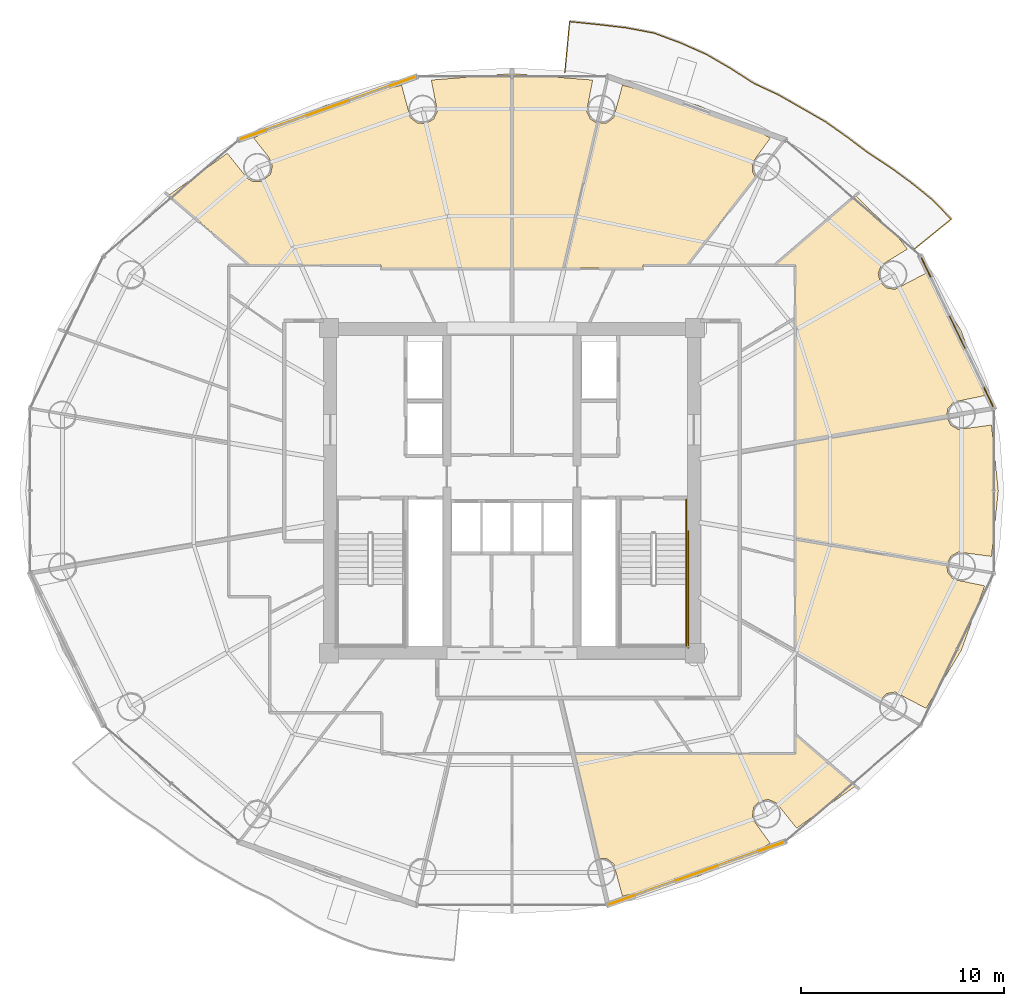
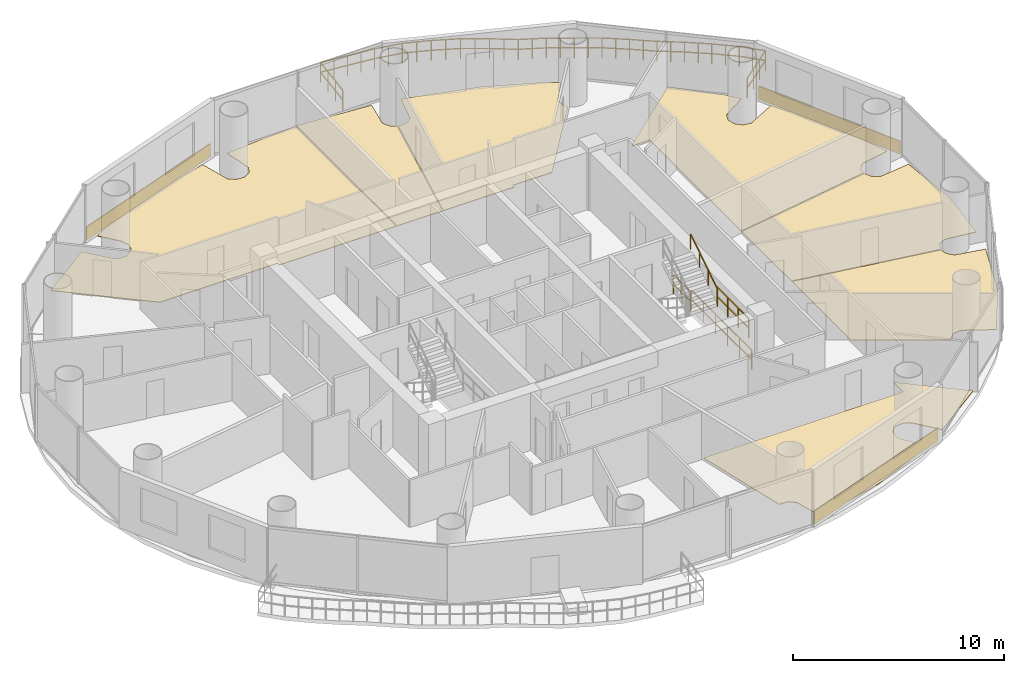
# One storey, part 26 of 26: 10 coverings, 5 railings.
"""IFC4 building model written with IfcOpenShell, lengths in metres."""

from ifc_helpers import new_model, si_unit, direction, frame, origin, origin_2d, place, context, subcontext, project, spatial, polyline, rectangle, outline, extrude, source, transform, mapped, material, layer, layer_set, type_object, element, save


model = new_model("IFC4")

# Units and contexts
model_context = context("Model", 3, precision=1e-05, world=origin(), true_north=direction((-0.2419218956, 0.970295726276)))
body_context = subcontext(model_context, "Body", "Model", "MODEL_VIEW")
ifc_project = project(units=[si_unit("LENGTHUNIT", "METRE"), si_unit("AREAUNIT", "SQUARE_METRE"), si_unit("VOLUMEUNIT", "CUBIC_METRE"), si_unit("PLANEANGLEUNIT", "RADIAN"), si_unit("MASSUNIT", "GRAM", prefix="KILO")], contexts=[model_context])

# Site, building, storey
site_placement = place(None, origin())
site = spatial("IfcSite", under=ifc_project, at=site_placement, CompositionType="ELEMENT")
building_placement = place(site_placement, origin())
building = spatial("IfcBuilding", under=site, at=building_placement, Name="Cobrevalo Terracotta Tower", CompositionType="ELEMENT")
storey_placement = place(building_placement, frame((0.0, 0.0, 142.60009765625)))
storey = spatial("IfcBuildingStorey", under=building, at=storey_placement, Name="L37", CompositionType="ELEMENT", Elevation=142.60009765625)

# Railing
ifc_material_1 = material(Name="Laminated structural glass and stainless steel", Category="steel")
railing_type_1 = type_object("IfcRailingType", Name="Balcony lobe structural glass & terracotta-cap balustrade 1180 mm", PredefinedType="BALUSTRADE", material=ifc_material_1)
railing_1_placement = place(storey_placement, frame((57.729248046875, 38.634765625, 0.0)))
element("IfcRailing", 1, at=railing_1_placement, inside=storey, type_object=railing_type_1, Name="L37 spiralling balcony lobe balustrade 1", PredefinedType="BALUSTRADE", context=body_context, shape_type="SweptSolid", body=[
    extrude(rectangle(XDim=0.048095703125, YDim=0.048095703125, at=origin_2d()), frame((0.0, 0.0, 1.15576171875), z_axis=(0.776605886973, 0.62998674297, 0.0), x_axis=(-0.62998674297, 0.776605886973, 0.0)), (0.0, 0.0, 1.0), 2.412841796875),
    extrude(rectangle(XDim=0.048095703125, YDim=0.048095703125, at=origin_2d()), frame((0.0, 0.0, 0.58984375), z_axis=(0.776605886973, 0.62998674297, 0.0), x_axis=(-0.62998674297, 0.776605886973, 0.0)), (0.0, 0.0, 1.0), 2.412841796875),
    extrude(rectangle(XDim=0.048095703125, YDim=0.048095703125, at=origin_2d()), frame((1.873779296875, 1.52001953125, 1.15576171875), z_axis=(-0.693616366426, 0.720344595472, 0.0), x_axis=(-0.720344595472, -0.693616366426, 0.0)), (0.0, 0.0, 1.0), 1.297119140625),
    extrude(rectangle(XDim=0.048095703125, YDim=0.048095703125, at=origin_2d()), frame((1.873779296875, 1.52001953125, 0.58984375), z_axis=(-0.693616366426, 0.720344595472, 0.0), x_axis=(-0.720344595472, -0.693616366426, 0.0)), (0.0, 0.0, 1.0), 1.297119140625),
    extrude(rectangle(XDim=0.048095703125, YDim=0.048095703125, at=origin_2d()), frame((0.97412109375, 2.454345703125, 1.15576171875), z_axis=(-0.775926903693, 0.630822827841, 0.0), x_axis=(-0.630822827841, -0.775926903693, 0.0)), (0.0, 0.0, 1.0), 1.3173828125),
    extrude(rectangle(XDim=0.048095703125, YDim=0.048095703125, at=origin_2d()), frame((0.97412109375, 2.454345703125, 0.58984375), z_axis=(-0.775926903693, 0.630822827841, 0.0), x_axis=(-0.630822827841, -0.775926903693, 0.0)), (0.0, 0.0, 1.0), 1.3173828125),
    extrude(rectangle(XDim=0.048095703125, YDim=0.048095703125, at=origin_2d()), frame((-0.048095703125, 3.285400390625, 1.15576171875), z_axis=(-0.806630616705, 0.591055875696, 0.0), x_axis=(-0.591055875696, -0.806630616705, 0.0)), (0.0, 0.0, 1.0), 1.306884765625),
    extrude(rectangle(XDim=0.048095703125, YDim=0.048095703125, at=origin_2d()), frame((-0.048095703125, 3.285400390625, 0.58984375), z_axis=(-0.806630616705, 0.591055875696, 0.0), x_axis=(-0.591055875696, -0.806630616705, 0.0)), (0.0, 0.0, 1.0), 1.306884765625),
    extrude(rectangle(XDim=0.048095703125, YDim=0.048095703125, at=origin_2d()), frame((-1.102294921875, 4.057861328125, 1.15576171875), z_axis=(-0.836972894181, 0.547244346162, 0.0), x_axis=(-0.547244346162, -0.836972894181, 0.0)), (0.0, 0.0, 1.0), 1.311279296875),
    extrude(rectangle(XDim=0.048095703125, YDim=0.048095703125, at=origin_2d()), frame((-1.102294921875, 4.057861328125, 0.58984375), z_axis=(-0.836972894181, 0.547244346162, 0.0), x_axis=(-0.547244346162, -0.836972894181, 0.0)), (0.0, 0.0, 1.0), 1.311279296875),
    extrude(rectangle(XDim=0.048095703125, YDim=0.048095703125, at=origin_2d()), frame((-2.19970703125, 4.775390625, 1.15576171875), z_axis=(-0.798741798158, 0.601673948144, 0.0), x_axis=(-0.601673948144, -0.798741798158, 0.0)), (0.0, 0.0, 1.0), 1.3056640625),
    extrude(rectangle(XDim=0.048095703125, YDim=0.048095703125, at=origin_2d()), frame((-2.19970703125, 4.775390625, 0.58984375), z_axis=(-0.798741798158, 0.601673948144, 0.0), x_axis=(-0.601673948144, -0.798741798158, 0.0)), (0.0, 0.0, 1.0), 1.3056640625),
    extrude(rectangle(XDim=0.048095703125, YDim=0.048095703125, at=origin_2d()), frame((-3.24267578125, 5.56103515625, 1.15576171875), z_axis=(-0.817799911498, 0.575502653994, 0.0), x_axis=(-0.575502653994, -0.817799911498, 0.0)), (0.0, 0.0, 1.0), 1.307861328125),
    extrude(rectangle(XDim=0.048095703125, YDim=0.048095703125, at=origin_2d()), frame((-3.24267578125, 5.56103515625, 0.58984375), z_axis=(-0.817799911498, 0.575502653994, 0.0), x_axis=(-0.575502653994, -0.817799911498, 0.0)), (0.0, 0.0, 1.0), 1.307861328125),
    extrude(rectangle(XDim=0.048095703125, YDim=0.048095703125, at=origin_2d()), frame((-4.312255859375, 6.313720703125, 1.15576171875), z_axis=(-0.866571760088, 0.499052486836, 0.0), x_axis=(-0.499052486836, -0.866571760088, 0.0)), (0.0, 0.0, 1.0), 1.3251953125),
    extrude(rectangle(XDim=0.048095703125, YDim=0.048095703125, at=origin_2d()), frame((-4.312255859375, 6.313720703125, 0.58984375), z_axis=(-0.866571760088, 0.499052486836, 0.0), x_axis=(-0.499052486836, -0.866571760088, 0.0)), (0.0, 0.0, 1.0), 1.3251953125),
    extrude(rectangle(XDim=0.048095703125, YDim=0.048095703125, at=origin_2d()), frame((-5.460693359375, 6.97509765625, 1.15576171875), z_axis=(-0.868265839493, 0.496099215853, 0.0), x_axis=(-0.496099215853, -0.868265839493, 0.0)), (0.0, 0.0, 1.0), 1.32373046875),
    extrude(rectangle(XDim=0.048095703125, YDim=0.048095703125, at=origin_2d()), frame((-5.460693359375, 6.97509765625, 0.58984375), z_axis=(-0.868265839493, 0.496099215853, 0.0), x_axis=(-0.496099215853, -0.868265839493, 0.0)), (0.0, 0.0, 1.0), 1.32373046875),
    extrude(rectangle(XDim=0.048095703125, YDim=0.048095703125, at=origin_2d()), frame((-6.610107421875, 7.6318359375, 1.15576171875), z_axis=(-0.906365050665, 0.422495437765, 0.0), x_axis=(-0.422495437765, -0.906365050665, 0.0)), (0.0, 0.0, 1.0), 1.336669921875),
    extrude(rectangle(XDim=0.048095703125, YDim=0.048095703125, at=origin_2d()), frame((-6.610107421875, 7.6318359375, 0.58984375), z_axis=(-0.906365050665, 0.422495437765, 0.0), x_axis=(-0.422495437765, -0.906365050665, 0.0)), (0.0, 0.0, 1.0), 1.336669921875),
    extrude(rectangle(XDim=0.048095703125, YDim=0.048095703125, at=origin_2d()), frame((-7.821533203125, 8.196533203125, 1.15576171875), z_axis=(-0.842261672011, 0.539068897138, 0.0), x_axis=(-0.539068897138, -0.842261672011, 0.0)), (0.0, 0.0, 1.0), 1.3671875),
    extrude(rectangle(XDim=0.048095703125, YDim=0.048095703125, at=origin_2d()), frame((-7.821533203125, 8.196533203125, 0.58984375), z_axis=(-0.842261672011, 0.539068897138, 0.0), x_axis=(-0.539068897138, -0.842261672011, 0.0)), (0.0, 0.0, 1.0), 1.3671875),
    extrude(rectangle(XDim=0.048095703125, YDim=0.048095703125, at=origin_2d()), frame((-8.97314453125, 8.93359375, 1.15576171875), z_axis=(-0.864687456437, 0.502310265355, 0.0), x_axis=(-0.502310265355, -0.864687456437, 0.0)), (0.0, 0.0, 1.0), 1.3818359375),
    extrude(rectangle(XDim=0.048095703125, YDim=0.048095703125, at=origin_2d()), frame((-8.97314453125, 8.93359375, 0.58984375), z_axis=(-0.864687456437, 0.502310265355, 0.0), x_axis=(-0.502310265355, -0.864687456437, 0.0)), (0.0, 0.0, 1.0), 1.3818359375),
    extrude(rectangle(XDim=0.048095703125, YDim=0.048095703125, at=origin_2d()), frame((-10.16796875, 9.627685546875, 1.15576171875), z_axis=(-0.914151492465, 0.40537272827, 0.0), x_axis=(-0.40537272827, -0.914151492465, 0.0)), (0.0, 0.0, 1.0), 1.390625),
    extrude(rectangle(XDim=0.048095703125, YDim=0.048095703125, at=origin_2d()), frame((-10.16796875, 9.627685546875, 0.58984375), z_axis=(-0.914151492465, 0.40537272827, 0.0), x_axis=(-0.40537272827, -0.914151492465, 0.0)), (0.0, 0.0, 1.0), 1.390625),
    extrude(rectangle(XDim=0.048095703125, YDim=0.048095703125, at=origin_2d()), frame((-11.439208984375, 10.19140625, 1.15576171875), z_axis=(-0.937418738161, 0.348204120229, 0.0), x_axis=(-0.348204120229, -0.937418738161, 0.0)), (0.0, 0.0, 1.0), 1.393798828125),
    extrude(rectangle(XDim=0.048095703125, YDim=0.048095703125, at=origin_2d()), frame((-11.439208984375, 10.19140625, 0.58984375), z_axis=(-0.937418738161, 0.348204120229, 0.0), x_axis=(-0.348204120229, -0.937418738161, 0.0)), (0.0, 0.0, 1.0), 1.393798828125),
    extrude(rectangle(XDim=0.048095703125, YDim=0.048095703125, at=origin_2d()), frame((-12.745849609375, 10.6767578125, 1.15576171875), z_axis=(-0.98248045944, 0.186365626706, 0.0), x_axis=(-0.186365626706, -0.98248045944, 0.0)), (0.0, 0.0, 1.0), 1.397705078125),
    extrude(rectangle(XDim=0.048095703125, YDim=0.048095703125, at=origin_2d()), frame((-12.745849609375, 10.6767578125, 0.58984375), z_axis=(-0.98248045944, 0.186365626706, 0.0), x_axis=(-0.186365626706, -0.98248045944, 0.0)), (0.0, 0.0, 1.0), 1.397705078125),
    extrude(rectangle(XDim=0.048095703125, YDim=0.048095703125, at=origin_2d()), frame((-14.119140625, 10.937255859375, 1.15576171875), z_axis=(-0.993346893194, 0.115160539172, 0.0), x_axis=(-0.115160539172, -0.993346893194, 0.0)), (0.0, 0.0, 1.0), 1.399169921875),
    extrude(rectangle(XDim=0.048095703125, YDim=0.048095703125, at=origin_2d()), frame((-14.119140625, 10.937255859375, 0.58984375), z_axis=(-0.993346893194, 0.115160539172, 0.0), x_axis=(-0.115160539172, -0.993346893194, 0.0)), (0.0, 0.0, 1.0), 1.399169921875),
    extrude(rectangle(XDim=0.048095703125, YDim=0.048095703125, at=origin_2d()), frame((-15.509033203125, 11.098388671875, 1.15576171875), z_axis=(-0.994835945684, 0.101496015567, 0.0), x_axis=(-0.101496015567, -0.994835945684, 0.0)), (0.0, 0.0, 1.0), 1.395263671875),
    extrude(rectangle(XDim=0.048095703125, YDim=0.048095703125, at=origin_2d()), frame((-15.509033203125, 11.098388671875, 0.58984375), z_axis=(-0.994835945684, 0.101496015567, 0.0), x_axis=(-0.101496015567, -0.994835945684, 0.0)), (0.0, 0.0, 1.0), 1.395263671875),
    extrude(rectangle(XDim=0.048095703125, YDim=0.048095703125, at=origin_2d()), frame((-16.89697265625, 11.239990234375, 1.15576171875), z_axis=(-0.093031820485, -0.995663135994, 0.0), x_axis=(0.995663135994, -0.093031820485, 0.0)), (0.0, 0.0, 1.0), 2.52197265625),
    extrude(rectangle(XDim=0.048095703125, YDim=0.048095703125, at=origin_2d()), frame((-16.89697265625, 11.239990234375, 0.58984375), z_axis=(-0.093031820485, -0.995663135994, 0.0), x_axis=(0.995663135994, -0.093031820485, 0.0)), (0.0, 0.0, 1.0), 2.52197265625),
    extrude(rectangle(XDim=0.0419921875, YDim=0.0419921875, at=origin_2d()), origin(), (0.0, 0.0, 1.0), 1.1318359375),
    extrude(rectangle(XDim=0.0419921875, YDim=0.0419921875, at=origin_2d()), frame((0.62451171875, 0.506591796875, 0.0)), (0.0, 0.0, 1.0), 1.1318359375),
    extrude(rectangle(XDim=0.0419921875, YDim=0.0419921875, at=origin_2d()), frame((1.249267578125, 1.013427734375, 0.0)), (0.0, 0.0, 1.0), 1.1318359375),
    extrude(rectangle(XDim=0.0419921875, YDim=0.0419921875, at=origin_2d()), frame((1.873779296875, 1.52001953125, 0.0)), (0.0, 0.0, 1.0), 1.1318359375),
    extrude(rectangle(XDim=0.0419921875, YDim=0.0419921875, at=origin_2d()), frame((1.423828125, 1.9873046875, 0.0)), (0.0, 0.0, 1.0), 1.1318359375),
    extrude(rectangle(XDim=0.0419921875, YDim=0.0419921875, at=origin_2d()), frame((0.97412109375, 2.454345703125, 0.0)), (0.0, 0.0, 1.0), 1.1318359375),
    extrude(rectangle(XDim=0.0419921875, YDim=0.0419921875, at=origin_2d()), frame((0.462890625, 2.869873046875, 0.0)), (0.0, 0.0, 1.0), 1.1318359375),
    extrude(rectangle(XDim=0.0419921875, YDim=0.0419921875, at=origin_2d()), frame((-0.048095703125, 3.285400390625, 0.0)), (0.0, 0.0, 1.0), 1.1318359375),
    extrude(rectangle(XDim=0.0419921875, YDim=0.0419921875, at=origin_2d()), frame((-0.5751953125, 3.671630859375, 0.0)), (0.0, 0.0, 1.0), 1.1318359375),
    extrude(rectangle(XDim=0.0419921875, YDim=0.0419921875, at=origin_2d()), frame((-1.102294921875, 4.057861328125, 0.0)), (0.0, 0.0, 1.0), 1.1318359375),
    extrude(rectangle(XDim=0.0419921875, YDim=0.0419921875, at=origin_2d()), frame((-1.65087890625, 4.41650390625, 0.0)), (0.0, 0.0, 1.0), 1.1318359375),
    extrude(rectangle(XDim=0.0419921875, YDim=0.0419921875, at=origin_2d()), frame((-2.19970703125, 4.775390625, 0.0)), (0.0, 0.0, 1.0), 1.1318359375),
    extrude(rectangle(XDim=0.0419921875, YDim=0.0419921875, at=origin_2d()), frame((-2.72119140625, 5.168212890625, 0.0)), (0.0, 0.0, 1.0), 1.1318359375),
    extrude(rectangle(XDim=0.0419921875, YDim=0.0419921875, at=origin_2d()), frame((-3.24267578125, 5.56103515625, 0.0)), (0.0, 0.0, 1.0), 1.1318359375),
    extrude(rectangle(XDim=0.0419921875, YDim=0.0419921875, at=origin_2d()), frame((-3.77734375, 5.9375, 0.0)), (0.0, 0.0, 1.0), 1.1318359375),
    extrude(rectangle(XDim=0.0419921875, YDim=0.0419921875, at=origin_2d()), frame((-4.312255859375, 6.313720703125, 0.0)), (0.0, 0.0, 1.0), 1.1318359375),
    extrude(rectangle(XDim=0.0419921875, YDim=0.0419921875, at=origin_2d()), frame((-4.886474609375, 6.64453125, 0.0)), (0.0, 0.0, 1.0), 1.1318359375),
    extrude(rectangle(XDim=0.0419921875, YDim=0.0419921875, at=origin_2d()), frame((-5.460693359375, 6.97509765625, 0.0)), (0.0, 0.0, 1.0), 1.1318359375),
    extrude(rectangle(XDim=0.0419921875, YDim=0.0419921875, at=origin_2d()), frame((-6.035400390625, 7.303466796875, 0.0)), (0.0, 0.0, 1.0), 1.1318359375),
    extrude(rectangle(XDim=0.0419921875, YDim=0.0419921875, at=origin_2d()), frame((-6.610107421875, 7.6318359375, 0.0)), (0.0, 0.0, 1.0), 1.1318359375),
    extrude(rectangle(XDim=0.0419921875, YDim=0.0419921875, at=origin_2d()), frame((-7.2158203125, 7.9140625, 0.0)), (0.0, 0.0, 1.0), 1.1318359375),
    extrude(rectangle(XDim=0.0419921875, YDim=0.0419921875, at=origin_2d()), frame((-7.821533203125, 8.196533203125, 0.0)), (0.0, 0.0, 1.0), 1.1318359375),
    extrude(rectangle(XDim=0.0419921875, YDim=0.0419921875, at=origin_2d()), frame((-8.3974609375, 8.56494140625, 0.0)), (0.0, 0.0, 1.0), 1.1318359375),
    extrude(rectangle(XDim=0.0419921875, YDim=0.0419921875, at=origin_2d()), frame((-8.97314453125, 8.93359375, 0.0)), (0.0, 0.0, 1.0), 1.1318359375),
    extrude(rectangle(XDim=0.0419921875, YDim=0.0419921875, at=origin_2d()), frame((-9.570556640625, 9.28076171875, 0.0)), (0.0, 0.0, 1.0), 1.1318359375),
    extrude(rectangle(XDim=0.0419921875, YDim=0.0419921875, at=origin_2d()), frame((-10.16796875, 9.627685546875, 0.0)), (0.0, 0.0, 1.0), 1.1318359375),
    extrude(rectangle(XDim=0.0419921875, YDim=0.0419921875, at=origin_2d()), frame((-10.8037109375, 9.90966796875, 0.0)), (0.0, 0.0, 1.0), 1.1318359375),
    extrude(rectangle(XDim=0.0419921875, YDim=0.0419921875, at=origin_2d()), frame((-11.439208984375, 10.19140625, 0.0)), (0.0, 0.0, 1.0), 1.1318359375),
    extrude(rectangle(XDim=0.0419921875, YDim=0.0419921875, at=origin_2d()), frame((-12.092529296875, 10.43408203125, 0.0)), (0.0, 0.0, 1.0), 1.1318359375),
    extrude(rectangle(XDim=0.0419921875, YDim=0.0419921875, at=origin_2d()), frame((-12.745849609375, 10.6767578125, 0.0)), (0.0, 0.0, 1.0), 1.1318359375),
    extrude(rectangle(XDim=0.0419921875, YDim=0.0419921875, at=origin_2d()), frame((-13.4326171875, 10.80712890625, 0.0)), (0.0, 0.0, 1.0), 1.1318359375),
    extrude(rectangle(XDim=0.0419921875, YDim=0.0419921875, at=origin_2d()), frame((-14.119140625, 10.937255859375, 0.0)), (0.0, 0.0, 1.0), 1.1318359375),
    extrude(rectangle(XDim=0.0419921875, YDim=0.0419921875, at=origin_2d()), frame((-14.81396484375, 11.017822265625, 0.0)), (0.0, 0.0, 1.0), 1.1318359375),
    extrude(rectangle(XDim=0.0419921875, YDim=0.0419921875, at=origin_2d()), frame((-15.509033203125, 11.098388671875, 0.0)), (0.0, 0.0, 1.0), 1.1318359375),
    extrude(rectangle(XDim=0.0419921875, YDim=0.0419921875, at=origin_2d()), frame((-16.203125, 11.169189453125, 0.0)), (0.0, 0.0, 1.0), 1.1318359375),
    extrude(rectangle(XDim=0.0419921875, YDim=0.0419921875, at=origin_2d()), frame((-16.89697265625, 11.239990234375, 0.0)), (0.0, 0.0, 1.0), 1.1318359375),
    extrude(rectangle(XDim=0.0419921875, YDim=0.0419921875, at=origin_2d()), frame((-16.97509765625, 10.403076171875, 0.0)), (0.0, 0.0, 1.0), 1.1318359375),
    extrude(rectangle(XDim=0.0419921875, YDim=0.0419921875, at=origin_2d()), frame((-17.053466796875, 9.56591796875, 0.0)), (0.0, 0.0, 1.0), 1.1318359375),
    extrude(rectangle(XDim=0.0419921875, YDim=0.0419921875, at=origin_2d()), frame((-17.131591796875, 8.72900390625, 0.0)), (0.0, 0.0, 1.0), 1.1318359375),
])

# Coverings
ifc_material_2 = material(Name="Engineered Brazilian hardwood flooring", Category="wood")
ifc_layer_1 = layer(ifc_material_2, 0.028076171875)
ifc_layer_set_1 = layer_set([ifc_layer_1], Name="Engineered Brazilian hardwood flooring")
covering_type_1 = type_object("IfcCoveringType", Name="Engineered Hardwood Suite Flooring 28", PredefinedType="FLOORING", material=ifc_layer_set_1)
covering_1_placement = place(storey_placement, origin())
element("IfcCovering", 2, at=covering_1_placement, inside=storey, type_object=covering_type_1, Name="Flat L37A Living and Dining Room floor finish", PredefinedType="FLOORING", context=body_context, shape_type="SweptSolid", body=[
    extrude(outline(polyline([(56.97802734375, 39.29052734375), (57.448486328125, 38.6865234375), (56.165771484375, 37.89404296875), (56.011474609375, 37.4931640625), (56.10595703125, 37.073974609375), (56.417236328125, 36.77783203125), (56.8408203125, 36.70458984375), (58.367431640625, 37.50634765625), (60.099609375, 34.651611328125), (61.251708984375, 31.478271484375), (59.7236328125, 31.1630859375), (59.44140625, 30.8388671875), (59.382568359375, 30.47607421875), (51.955078125, 29.2060546875), (51.955078125, 37.905029296875), (50.950927734375, 37.905029296875), (54.9111328125, 41.308837890625), (56.97802734375, 39.29052734375)])), origin(), (0.0, 0.0, 1.0), 0.02978515625),
])
covering_2_placement = place(storey_placement, origin())
element("IfcCovering", 3, at=covering_2_placement, inside=storey, type_object=covering_type_1, Name="Flat L37A Penthouse Family Lounge floor finish", PredefinedType="FLOORING", context=body_context, shape_type="SweptSolid", body=[
    extrude(outline(polyline([(49.961181640625, 44.5703125), (50.704833984375, 44.143798828125), (49.815673828125, 42.9228515625), (49.824462890625, 42.4931640625), (49.97509765625, 42.236572265625), (46.607666015625, 37.905029296875), (44.445068359375, 37.905029296875), (44.445068359375, 37.7451171875), (40.553466796875, 37.7451171875), (42.203369140625, 44.873779296875), (42.6591796875, 44.88916015625), (43.00048828125, 45.150390625), (43.432861328125, 46.75), (47.15478515625, 45.757568359375), (49.961181640625, 44.5703125)])), origin(), (0.0, 0.0, 1.0), 0.02978515625),
])
covering_3_placement = place(storey_placement, origin())
element("IfcCovering", 4, at=covering_3_placement, inside=storey, type_object=covering_type_1, Name="Flat L37A Principal Guest Bedroom floor finish", PredefinedType="FLOORING", context=body_context, shape_type="SweptSolid", body=[
    extrude(outline(polyline([(38.02001953125, 47.31884765625), (41.97119140625, 46.99951171875), (41.6689453125, 45.462158203125), (41.858642578125, 45.07666015625), (42.16455078125, 44.8837890625), (40.512451171875, 37.7451171875), (38.02001953125, 37.7451171875), (38.02001953125, 47.31884765625)])), origin(), (0.0, 0.0, 1.0), 0.02978515625),
])
covering_4_placement = place(storey_placement, origin())
element("IfcCovering", 5, at=covering_4_placement, inside=storey, type_object=covering_type_1, Name="Flat L37B Penthouse Living and Dining Room floor finish", PredefinedType="FLOORING", context=body_context, shape_type="SweptSolid", body=[
    extrude(outline(polyline([(23.99755859375, 43.39990234375), (24.99072265625, 42.160400390625), (25.242431640625, 42.01904296875), (25.672119140625, 42.01025390625), (26.1171875, 42.3603515625), (26.209716796875, 42.780029296875), (26.053955078125, 43.179443359375), (25.295166015625, 44.143798828125), (26.038818359375, 44.5703125), (28.84521484375, 45.757568359375), (32.567138671875, 46.75), (32.99951171875, 45.150390625), (33.3408203125, 44.88916015625), (33.76953125, 44.861328125), (34.141357421875, 45.07666015625), (34.3310546875, 45.462158203125), (34.02880859375, 46.99951171875), (37.97998046875, 47.31884765625), (37.97998046875, 37.7451171875), (31.554931640625, 37.7451171875), (31.554931640625, 37.905029296875), (25.1103515625, 37.905029296875), (21.119873046875, 41.3349609375), (23.99755859375, 43.39990234375)])), origin(), (0.0, 0.0, 1.0), 0.02978515625),
])
covering_5_placement = place(storey_placement, origin())
element("IfcCovering", 6, at=covering_5_placement, inside=storey, type_object=covering_type_1, Name="Flat L37D Living and Dining Room floor finish", PredefinedType="FLOORING", context=body_context, shape_type="SweptSolid", body=[
    extrude(outline(polyline([(52.00244140625, 10.2001953125), (51.00927734375, 11.439697265625), (50.61572265625, 11.6123046875), (50.192626953125, 11.537109375), (49.8828125, 11.239501953125), (49.815673828125, 10.67724609375), (50.704833984375, 9.4560546875), (49.961181640625, 9.02978515625), (47.15478515625, 7.84228515625), (43.432861328125, 6.849853515625), (43.00048828125, 8.44970703125), (42.6591796875, 8.7109375), (42.203369140625, 8.72607421875), (41.0185546875, 13.844970703125), (51.955078125, 13.844970703125), (51.955078125, 14.779296875), (54.880126953125, 12.264892578125), (52.00244140625, 10.2001953125)])), origin(), (0.0, 0.0, 1.0), 0.02978515625),
])
covering_6_placement = place(storey_placement, origin())
element("IfcCovering", 7, at=covering_6_placement, inside=storey, type_object=covering_type_1, Name="Flat L37D Principal Guest Bedroom floor finish", PredefinedType="FLOORING", context=body_context, shape_type="SweptSolid", body=[
    extrude(outline(polyline([(58.367431640625, 16.09375), (56.8408203125, 16.895263671875), (56.417236328125, 16.822021484375), (56.070068359375, 16.4453125), (51.955078125, 18.80859375), (51.955078125, 24.393798828125), (59.382568359375, 23.1240234375), (59.44140625, 22.760986328125), (59.7236328125, 22.43701171875), (61.251708984375, 22.121826171875), (60.099609375, 18.948486328125), (58.367431640625, 16.09375)])), origin(), (0.0, 0.0, 1.0), 0.02978515625),
])
covering_7_placement = place(storey_placement, origin())
element("IfcCovering", 8, at=covering_7_placement, inside=storey, type_object=covering_type_1, Name="Flat L37D Penthouse Family Lounge floor finish", PredefinedType="FLOORING", context=body_context, shape_type="SweptSolid", body=[
    extrude(outline(polyline([(59.388427734375, 30.436279296875), (59.578369140625, 30.028076171875), (59.951416015625, 29.814697265625), (61.58642578125, 30.03369140625), (61.919921875, 26.800048828125), (61.58642578125, 23.566162109375), (59.951416015625, 23.785400390625), (59.578369140625, 23.572021484375), (59.388427734375, 23.16357421875), (51.955078125, 24.4345703125), (51.955078125, 29.16552734375), (59.388427734375, 30.436279296875)])), origin(), (0.0, 0.0, 1.0), 0.02978515625),
])

# Railings
ifc_material_3 = material(Name="Brushed stainless steel", Category="steel")
railing_type_2 = type_object("IfcRailingType", Name="Stainless Steel Stair Handrail 900", PredefinedType="HANDRAIL", material=ifc_material_3)
railing_2_placement = place(storey_placement, frame((46.574951171875, 22.179931640625, 1.97998046875)))
element("IfcRailing", 9, at=railing_2_placement, inside=storey, type_object=railing_type_2, Name="L37 ST-2 stair handrail 2", PredefinedType="HANDRAIL", context=body_context, shape_type="SweptSolid", body=[
    extrude(rectangle(XDim=0.048095703125, YDim=0.048095703125, at=origin_2d()), frame((0.0, 0.0, 0.8759765625), z_axis=(0.0, 0.841199657755, 0.540724639528), x_axis=(-1.0, 0.0, 0.0)), (0.0, 0.0, 1.0), 2.995849609375),
    extrude(rectangle(XDim=0.0419921875, YDim=0.0419921875, at=origin_2d()), origin(), (0.0, 0.0, 1.0), 0.851806640625),
    extrude(rectangle(XDim=0.0419921875, YDim=0.0419921875, at=origin_2d()), frame((0.0, 0.840087890625, 0.5400390625)), (0.0, 0.0, 1.0), 0.851806640625),
    extrude(rectangle(XDim=0.0419921875, YDim=0.0419921875, at=origin_2d()), frame((0.0, 1.679931640625, 1.079833984375)), (0.0, 0.0, 1.0), 0.851806640625),
    extrude(rectangle(XDim=0.0419921875, YDim=0.0419921875, at=origin_2d()), frame((0.0, 2.52001953125, 1.619873046875)), (0.0, 0.0, 1.0), 0.851806640625),
])
ifc_material_4 = material(Name="Painted galvanized steel", Category="steel")
railing_type_3 = type_object("IfcRailingType", Name="Stair Well Guard Balustrade 1150", PredefinedType="GUARDRAIL", material=ifc_material_4)
railing_3_placement = place(storey_placement, frame((46.574951171875, 22.179931640625, 1.7998046875)))
element("IfcRailing", 10, at=railing_3_placement, inside=storey, type_object=railing_type_3, Name="L37 ST-2 stair guard 4", PredefinedType="GUARDRAIL", context=body_context, shape_type="SweptSolid", body=[
    extrude(rectangle(XDim=0.048095703125, YDim=0.048095703125, at=origin_2d()), frame((0.0, 0.0, 1.1259765625), z_axis=(0.0, -1.0, 0.0), x_axis=(1.0, 0.0, 0.0)), (0.0, 0.0, 1.0), 3.0048828125),
    extrude(rectangle(XDim=0.048095703125, YDim=0.048095703125, at=origin_2d()), frame((0.0, 0.0, 0.574951171875), z_axis=(0.0, -1.0, 0.0), x_axis=(1.0, 0.0, 0.0)), (0.0, 0.0, 1.0), 3.0048828125),
    extrude(rectangle(XDim=0.0419921875, YDim=0.0419921875, at=origin_2d()), origin(), (0.0, 0.0, 1.0), 1.101806640625),
    extrude(rectangle(XDim=0.0419921875, YDim=0.0419921875, at=origin_2d()), frame((0.0, -1.001708984375, 0.0)), (0.0, 0.0, 1.0), 1.101806640625),
    extrude(rectangle(XDim=0.0419921875, YDim=0.0419921875, at=origin_2d()), frame((0.0, -2.003173828125, 0.0)), (0.0, 0.0, 1.0), 1.101806640625),
    extrude(rectangle(XDim=0.0419921875, YDim=0.0419921875, at=origin_2d()), frame((0.0, -3.0048828125, 0.0)), (0.0, 0.0, 1.0), 1.101806640625),
])
railing_4_placement = place(storey_placement, frame((46.574951171875, 26.35009765625, 0.0)))
element("IfcRailing", 11, at=railing_4_placement, inside=storey, type_object=railing_type_3, Name="L37 ST-2 stair guard 9", PredefinedType="GUARDRAIL", context=body_context, shape_type="SweptSolid", body=[
    extrude(rectangle(XDim=0.048095703125, YDim=0.048095703125, at=origin_2d()), frame((0.0, 0.0, 1.1259765625), z_axis=(0.0, -1.0, 0.0), x_axis=(1.0, 0.0, 0.0)), (0.0, 0.0, 1.0), 1.650146484375),
    extrude(rectangle(XDim=0.048095703125, YDim=0.048095703125, at=origin_2d()), frame((0.0, 0.0, 0.574951171875), z_axis=(0.0, -1.0, 0.0), x_axis=(1.0, 0.0, 0.0)), (0.0, 0.0, 1.0), 1.650146484375),
    extrude(rectangle(XDim=0.0419921875, YDim=0.0419921875, at=origin_2d()), origin(), (0.0, 0.0, 1.0), 1.101806640625),
    extrude(rectangle(XDim=0.0419921875, YDim=0.0419921875, at=origin_2d()), frame((0.0, -0.8251953125, 0.0)), (0.0, 0.0, 1.0), 1.101806640625),
    extrude(rectangle(XDim=0.0419921875, YDim=0.0419921875, at=origin_2d()), frame((0.0, -1.650146484375, 0.0)), (0.0, 0.0, 1.0), 1.101806640625),
])
railing_5_placement = place(storey_placement, frame((46.675048828125, 24.800048828125, 0.0)))
element("IfcRailing", 12, at=railing_5_placement, inside=storey, type_object=railing_type_3, Name="L37 ST-2 stair guard 11", PredefinedType="GUARDRAIL", context=body_context, shape_type="SweptSolid", body=[
    extrude(rectangle(XDim=0.048095703125, YDim=0.048095703125, at=origin_2d()), frame((0.0, 0.0, 1.1259765625), z_axis=(0.0, -1.0, 0.0), x_axis=(1.0, 0.0, 0.0)), (0.0, 0.0, 1.0), 5.72509765625),
    extrude(rectangle(XDim=0.048095703125, YDim=0.048095703125, at=origin_2d()), frame((0.0, 0.0, 0.574951171875), z_axis=(0.0, -1.0, 0.0), x_axis=(1.0, 0.0, 0.0)), (0.0, 0.0, 1.0), 5.72509765625),
    extrude(rectangle(XDim=0.0419921875, YDim=0.0419921875, at=origin_2d()), origin(), (0.0, 0.0, 1.0), 1.101806640625),
    extrude(rectangle(XDim=0.0419921875, YDim=0.0419921875, at=origin_2d()), frame((0.0, -1.14501953125, 0.0)), (0.0, 0.0, 1.0), 1.101806640625),
    extrude(rectangle(XDim=0.0419921875, YDim=0.0419921875, at=origin_2d()), frame((0.0, -2.2900390625, 0.0)), (0.0, 0.0, 1.0), 1.101806640625),
    extrude(rectangle(XDim=0.0419921875, YDim=0.0419921875, at=origin_2d()), frame((0.0, -3.43505859375, 0.0)), (0.0, 0.0, 1.0), 1.101806640625),
    extrude(rectangle(XDim=0.0419921875, YDim=0.0419921875, at=origin_2d()), frame((0.0, -4.580078125, 0.0)), (0.0, 0.0, 1.0), 1.101806640625),
    extrude(rectangle(XDim=0.0419921875, YDim=0.0419921875, at=origin_2d()), frame((0.0, -5.72509765625, 0.0)), (0.0, 0.0, 1.0), 1.101806640625),
])

# Coverings
ifc_material_5 = material(Name="Glazed terracotta facade cladding tile", Category="masonry")
ifc_layer_2 = layer(ifc_material_5, 0.044921875)
ifc_layer_set_2 = layer_set([ifc_layer_2], Name="Glazed terracotta facade cladding tile")
covering_type_2 = type_object("IfcCoveringType", Name="Architectural terracotta rainscreen spandrel cladding 45 mm", PredefinedType="CLADDING", material=ifc_layer_set_2)
shared_shape_1 = source(origin(), body_context, "Body", "SweptSolid", [
    extrude(rectangle(XDim=8.111572265625, YDim=0.044921875, at=origin_2d()), origin(), (0.0, 0.0, 1.0), 0.760009765625),
])
covering_8_placement = place(storey_placement, frame((59.901123046875, 34.595703125, 0.0400390625), z_axis=(0.0, 0.0, 1.0), x_axis=(-0.434209440271, 0.900811945957, 0.0)))
element("IfcCovering", 13, at=covering_8_placement, inside=storey, type_object=covering_type_2, Name="L37 terracotta spandrel cladding S01", PredefinedType="CLADDING", context=body_context, shape_type="MappedRepresentation", body=[
    mapped(shared_shape_1, transform((0.0, 0.0, 0.0), scale=1.0)),
])
shared_shape_2 = source(origin(), body_context, "Body", "SweptSolid", [
    extrude(rectangle(XDim=9.04833984375, YDim=0.044921875, at=origin_2d()), origin(), (0.0, 0.0, 1.0), 0.760009765625),
])
for number, where, z_axis, x_axis, name in (
    (14, (28.92822265625, 45.620361328125, 0.0400390625), (0.0, 0.0, 1.0), (-0.942098428897, -0.335336473217, 0.0), "L37 terracotta spandrel cladding S05"),
    (15, (47.07177734375, 7.979736328125, 0.0400390625), (0.0, 0.0, 1.0), (0.942098428897, 0.335336473217, 0.0), "L37 terracotta spandrel cladding S13"),
):
    element("IfcCovering", number, at=place(storey_placement, frame(where, z_axis=z_axis, x_axis=x_axis)), inside=storey, type_object=covering_type_2, Name=name, PredefinedType="CLADDING", context=body_context, shape_type="MappedRepresentation", body=[
        mapped(shared_shape_2, transform((0.0, 0.0, 0.0), scale=1.0)),
    ])

save(model, "model.ifc")
